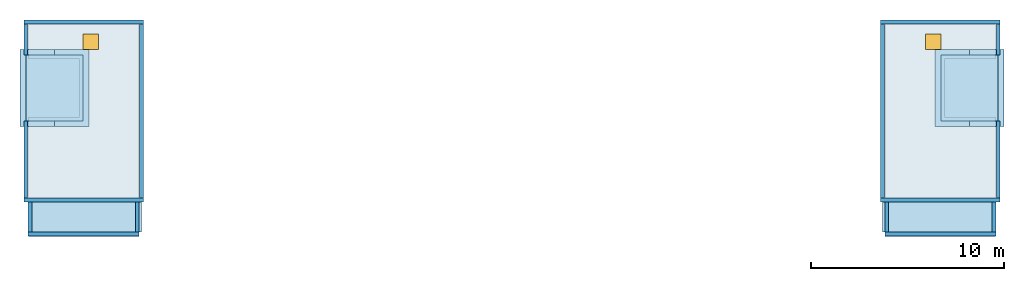
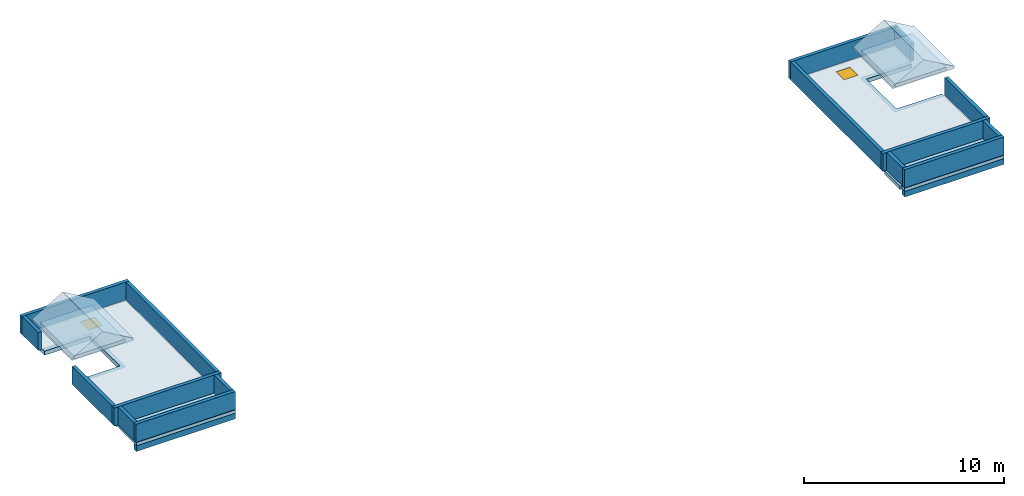
"""IFC4 building model written with IfcOpenShell, lengths in metres."""

from ifc_helpers import new_model, si_unit, direction, frame, frame_2d, origin, origin_2d, place, context, subcontext, project, spatial, polyline, rectangle, outline, extrude, material, layer, layer_set, material_profile, profile_set, type_object, element, fill, save


model = new_model("IFC4")

# Units and contexts
model_context = context("Model", 3, precision=1e-05, world=origin(), true_north=direction((0.0, 1.0)))
body_context = subcontext(model_context, "Body", "Model", "MODEL_VIEW")
ifc_project = project(units=[si_unit("LENGTHUNIT", "METRE"), si_unit("AREAUNIT", "SQUARE_METRE"), si_unit("VOLUMEUNIT", "CUBIC_METRE"), si_unit("PLANEANGLEUNIT", "RADIAN"), si_unit("MASSUNIT", "GRAM", prefix="KILO")], contexts=[model_context])

# Site, building, storey
site_placement = place(None, origin())
site = spatial("IfcSite", under=ifc_project, at=site_placement, CompositionType="ELEMENT")
building_placement = place(site_placement, origin())
building = spatial("IfcBuilding", under=site, at=building_placement, Name="Ridgestep Commons", CompositionType="ELEMENT")
storey_1_placement = place(building_placement, frame((0.0, 0.0, 48.0)))
storey_1 = spatial("IfcBuildingStorey", under=building, at=storey_1_placement, Name="Roof", CompositionType="ELEMENT", Elevation=48.0)

# Beams
ifc_material_1 = material(Name="Precast concrete C40/50", Category="concrete")
ifc_material_profile = material_profile(ifc_material_1, rectangle(XDim=0.25, YDim=0.35009765625, at=origin_2d()), Name="PC 250x350")
ifc_profile_set = profile_set([ifc_material_profile], Name="Precast concrete C40/50")
beam_type = type_object("IfcBeamType", Name="Loggia edge beam 250 x 350", PredefinedType="SPANDREL", material=ifc_profile_set)
for number, where, z_axis, x_axis, name in (
    (1, (45.75, 11.875, -0.375), (1.0, 0.0, 0.0), (0.0, 1.0, 0.0), "Loggia edge beam A3C Roof"),
    (2, (90.125, 11.875, -0.375), (1.0, 0.0, 0.0), (0.0, 1.0, 0.0), "Loggia edge beam A5C Roof"),
):
    element("IfcBeam", number, at=place(storey_1_placement, frame(where, z_axis=z_axis, x_axis=x_axis)), inside=storey_1, type_object=beam_type, Name=name, PredefinedType="SPANDREL", context=body_context, shape_type="SweptSolid", body=[
        extrude(rectangle(XDim=0.25, YDim=0.35009765625, at=origin_2d()), origin(), (0.0, 0.0, 1.0), 5.72509765625),
    ])

# Slabs
ifc_material_2 = material(Name="Precast concrete C40/50", Category="concrete")
ifc_layer_1 = layer(ifc_material_2, 0.199951171875)
ifc_layer_set_1 = layer_set([ifc_layer_1], Name="Gallery roof slab 200")
slab_type_1 = type_object("IfcSlabType", Name="Gallery roof slab 200", PredefinedType="ROOF", material=ifc_layer_set_1)
slab_1_placement = place(storey_1_placement, frame((0.0, 0.0, -0.199951171875)))
element("IfcSlab", 3, at=slab_1_placement, inside=storey_1, type_object=slab_type_1, Name="Gallery slab A3 Roof", PredefinedType="ROOF", context=body_context, shape_type="SweptSolid", body=[
    extrude(outline(polyline([(45.75, 11.75), (51.47509765625, 11.75), (51.47509765625, 12.0), (51.60009765625, 12.0), (51.60009765625, 13.550048828125), (45.75, 13.550048828125), (45.75, 11.75)])), origin(), (0.0, 0.0, 1.0), 0.199951171875),
])
slab_2_placement = place(storey_1_placement, frame((0.0, 0.0, -0.199951171875)))
element("IfcSlab", 4, at=slab_2_placement, inside=storey_1, type_object=slab_type_1, Name="Gallery slab A5 Roof", PredefinedType="ROOF", context=body_context, shape_type="SweptSolid", body=[
    extrude(outline(polyline([(90.0, 13.550048828125), (90.0, 12.0), (90.125, 12.0), (90.125, 11.75), (95.85009765625, 11.75), (95.85009765625, 13.550048828125), (90.0, 13.550048828125)])), origin(), (0.0, 0.0, 1.0), 0.199951171875),
])
ifc_material_3 = material(Name="Precast concrete C50/60", Category="concrete")
ifc_layer_2 = layer(ifc_material_3, 0.199951171875)
ifc_layer_set_2 = layer_set([ifc_layer_2], Name="Overrun roof 200")
slab_type_2 = type_object("IfcSlabType", Name="Overrun roof 200", PredefinedType="ROOF", material=ifc_layer_set_2)
slab_3_placement = place(storey_1_placement, frame((0.0, 0.0, 1.5)))
element("IfcSlab", 5, at=slab_3_placement, inside=storey_1, type_object=slab_type_2, Name="Lift overrun roof A3C", PredefinedType="ROOF", context=body_context, shape_type="SweptSolid", body=[
    extrude(outline(polyline([(48.574951171875, 17.75), (48.574951171875, 21.14990234375), (45.60009765625, 21.14990234375), (45.60009765625, 17.75), (48.574951171875, 17.75)])), origin(), (0.0, 0.0, 1.0), 0.199951171875),
])
slab_4_placement = place(storey_1_placement, frame((0.0, 0.0, 1.5)))
element("IfcSlab", 6, at=slab_4_placement, inside=storey_1, type_object=slab_type_2, Name="Lift overrun roof A5C", PredefinedType="ROOF", context=body_context, shape_type="SweptSolid", body=[
    extrude(outline(polyline([(96.0, 17.75), (96.0, 21.14990234375), (93.02490234375, 21.14990234375), (93.02490234375, 17.75), (96.0, 17.75)])), origin(), (0.0, 0.0, 1.0), 0.199951171875),
])

# Slab, opening
ifc_material_4 = material(Name="Precast concrete C50/60", Category="concrete")
ifc_layer_3 = layer(ifc_material_4, 0.25)
ifc_layer_set_3 = layer_set([ifc_layer_3], Name="Roof slab 250")
slab_type_3 = type_object("IfcSlabType", Name="Roof slab 250", PredefinedType="ROOF", material=ifc_layer_set_3)
slab_5_placement = place(storey_1_placement, frame((0.0, 0.0, -0.25)))
slab_5 = element("IfcSlab", 7, at=slab_5_placement, inside=storey_1, type_object=slab_type_3, Name="Roof slab A3C", PredefinedType="ROOF", context=body_context, shape_type="SweptSolid", body=[
    extrude(outline(polyline([(45.75, 22.75), (45.75, 20.949951171875), (48.375, 20.949951171875), (48.375, 17.949951171875), (45.75, 17.949951171875), (45.75, 13.75), (51.47509765625, 13.75), (51.47509765625, 22.75), (45.75, 22.75)])), origin(), (0.0, 0.0, 1.0), 0.25),
])
opening_1_placement = place(slab_5_placement, frame((48.97509765625, 21.85009765625, 0.0)))
opening_1 = element("IfcOpeningElement", 8, at=opening_1_placement, cuts=slab_5, Name="Opening A3C/RF/1", PredefinedType="OPENING", context=body_context, shape_type="SweptSolid", body=[
    extrude(rectangle(XDim=0.800048828125, YDim=0.800048828125, at=origin_2d()), origin(), (0.0, 0.0, 1.0), 0.25),
])

# Storey
storey_2_placement = place(building_placement, frame((0.0, 0.0, 45.0)))
storey_2 = spatial("IfcBuildingStorey", under=building, at=storey_2_placement, Name="L15", CompositionType="ELEMENT", Elevation=45.0)

# Door
ifc_material_5 = material(Name="Steel", Category="steel")
door_type = type_object("IfcDoorType", Name="Ladder roof hatch 800 x 800", OperationType="SINGLE_SWING_LEFT", PredefinedType="TRAPDOOR", material=ifc_material_5)
door_1_placement = place(opening_1_placement, frame((0.0, 0.0, 0.199951171875)))
door_1 = element("IfcDoor", 9, at=door_1_placement, inside=storey_2, type_object=door_type, Name="Roof hatch A3C", OperationType="SINGLE_SWING_LEFT", OverallHeight=0.800048828125, OverallWidth=0.800048828125, PredefinedType="TRAPDOOR", context=body_context, shape_type="SweptSolid", body=[
    extrude(rectangle(XDim=0.800048828125, YDim=0.800048828125, at=origin_2d()), origin(), (0.0, 0.0, 1.0), 0.050048828125),
])

fill(opening_1, door_1)

# Slab, opening, door
slab_6_placement = place(storey_1_placement, frame((0.0, 0.0, -0.25)))
slab_6 = element("IfcSlab", 10, at=slab_6_placement, inside=storey_1, type_object=slab_type_3, Name="Roof slab A5C", PredefinedType="ROOF", context=body_context, shape_type="SweptSolid", body=[
    extrude(outline(polyline([(95.85009765625, 13.75), (95.85009765625, 17.949951171875), (93.22509765625, 17.949951171875), (93.22509765625, 20.949951171875), (95.85009765625, 20.949951171875), (95.85009765625, 22.75), (90.125, 22.75), (90.125, 13.75), (95.85009765625, 13.75)])), origin(), (0.0, 0.0, 1.0), 0.25),
])
opening_2_placement = place(slab_6_placement, frame((92.625, 21.85009765625, 0.0)))
opening_2 = element("IfcOpeningElement", 11, at=opening_2_placement, cuts=slab_6, Name="Opening A5C/RF/1", PredefinedType="OPENING", context=body_context, shape_type="SweptSolid", body=[
    extrude(rectangle(XDim=0.800048828125, YDim=0.800048828125, at=origin_2d()), origin(), (0.0, 0.0, 1.0), 0.25),
])
door_2_placement = place(opening_2_placement, frame((0.0, 0.0, 0.199951171875)))
door_2 = element("IfcDoor", 12, at=door_2_placement, inside=storey_2, type_object=door_type, Name="Roof hatch A5C", OperationType="SINGLE_SWING_LEFT", OverallHeight=0.800048828125, OverallWidth=0.800048828125, PredefinedType="TRAPDOOR", context=body_context, shape_type="SweptSolid", body=[
    extrude(rectangle(XDim=0.800048828125, YDim=0.800048828125, at=origin_2d()), origin(), (0.0, 0.0, 1.0), 0.050048828125),
])
fill(opening_2, door_2)

# Walls
ifc_material_6 = material(Name="Precast concrete C40/50", Category="concrete")
ifc_layer_4 = layer(ifc_material_6, 0.199951171875)
ifc_layer_set_4 = layer_set([ifc_layer_4], Name="Parapet wall 200")
wall_type = type_object("IfcWallType", Name="Parapet wall 200", PredefinedType="PARAPET", material=ifc_layer_set_4)
for number, where, z_axis, x_axis, name in (
    (13, (45.5, 22.875, 0.0), (0.0, 0.0, 1.0), (1.0, 0.0, 0.0), "Parapet A3C north"),
    (14, (45.5, 13.64990234375, 0.0), (0.0, 0.0, 1.0), (1.0, 0.0, 0.0), "Parapet A3C south"),
):
    element("IfcWall", number, at=place(storey_1_placement, frame(where, z_axis=z_axis, x_axis=x_axis)), inside=storey_1, type_object=wall_type, Name=name, PredefinedType="PARAPET", context=body_context, shape_type="SweptSolid", body=[
        extrude(rectangle(XDim=6.199951171875, YDim=0.199951171875, at=frame_2d((3.10009765625, 0.0))), origin(), (0.0, 0.0, 1.0), 1.10009765625),
    ])
wall_1_placement = place(storey_1_placement, frame((45.60009765625, 13.75, 0.0), z_axis=(0.0, 0.0, 1.0), x_axis=(0.0, 1.0, 0.0)))
element("IfcWall", 15, at=wall_1_placement, inside=storey_1, type_object=wall_type, Name="Parapet A3C west", PredefinedType="PARAPET", context=body_context, shape_type="SweptSolid", body=[
    extrude(rectangle(XDim=4.0, YDim=0.199951171875, at=frame_2d((2.0, 0.0))), origin(), (0.0, 0.0, 1.0), 1.10009765625),
])
wall_2_placement = place(storey_1_placement, frame((45.60009765625, 21.14990234375, 0.0), z_axis=(0.0, 0.0, 1.0), x_axis=(0.0, 1.0, 0.0)))
element("IfcWall", 16, at=wall_2_placement, inside=storey_1, type_object=wall_type, Name="Parapet A3C west", PredefinedType="PARAPET", context=body_context, shape_type="SweptSolid", body=[
    extrude(rectangle(XDim=1.625, YDim=0.199951171875, at=frame_2d((0.8125, 0.0))), origin(), (0.0, 0.0, 1.0), 1.10009765625),
])
wall_3_placement = place(storey_1_placement, frame((51.60009765625, 13.75, 0.0), z_axis=(0.0, 0.0, 1.0), x_axis=(0.0, 1.0, 0.0)))
element("IfcWall", 17, at=wall_3_placement, inside=storey_1, type_object=wall_type, Name="Parapet A3C east", PredefinedType="PARAPET", context=body_context, shape_type="SweptSolid", body=[
    extrude(rectangle(XDim=9.02490234375, YDim=0.199951171875, at=frame_2d((4.512451171875, 0.0))), origin(), (0.0, 0.0, 1.0), 1.10009765625),
])
wall_4_placement = place(storey_1_placement, frame((45.72509765625, 11.875, 0.0), z_axis=(0.0, 0.0, 1.0), x_axis=(1.0, 0.0, 0.0)))
element("IfcWall", 18, at=wall_4_placement, inside=storey_1, type_object=wall_type, Name="Parapet A3C gallery south", PredefinedType="PARAPET", context=body_context, shape_type="SweptSolid", body=[
    extrude(rectangle(XDim=5.75, YDim=0.199951171875, at=frame_2d((2.875, 0.0))), origin(), (0.0, 0.0, 1.0), 1.10009765625),
])
for number, where, z_axis, x_axis, name in (
    (19, (45.824951171875, 11.97509765625, 0.0), (0.0, 0.0, 1.0), (0.0, 1.0, 0.0), "Parapet A3C gallery west"),
    (20, (51.375, 11.97509765625, 0.0), (0.0, 0.0, 1.0), (0.0, 1.0, 0.0), "Parapet A3C gallery east"),
):
    element("IfcWall", number, at=place(storey_1_placement, frame(where, z_axis=z_axis, x_axis=x_axis)), inside=storey_1, type_object=wall_type, Name=name, PredefinedType="PARAPET", context=body_context, shape_type="SweptSolid", body=[
        extrude(rectangle(XDim=1.574951171875, YDim=0.199951171875, at=frame_2d((0.78759765625, 0.0))), origin(), (0.0, 0.0, 1.0), 1.10009765625),
    ])
for number, where, z_axis, x_axis, name in (
    (21, (89.89990234375, 22.875, 0.0), (0.0, 0.0, 1.0), (1.0, 0.0, 0.0), "Parapet A5C north"),
    (22, (89.89990234375, 13.64990234375, 0.0), (0.0, 0.0, 1.0), (1.0, 0.0, 0.0), "Parapet A5C south"),
):
    element("IfcWall", number, at=place(storey_1_placement, frame(where, z_axis=z_axis, x_axis=x_axis)), inside=storey_1, type_object=wall_type, Name=name, PredefinedType="PARAPET", context=body_context, shape_type="SweptSolid", body=[
        extrude(rectangle(XDim=6.2001953125, YDim=0.199951171875, at=frame_2d((3.10009765625, 0.0))), origin(), (0.0, 0.0, 1.0), 1.10009765625),
    ])
wall_5_placement = place(storey_1_placement, frame((90.0, 13.75, 0.0), z_axis=(0.0, 0.0, 1.0), x_axis=(0.0, 1.0, 0.0)))
element("IfcWall", 23, at=wall_5_placement, inside=storey_1, type_object=wall_type, Name="Parapet A5C west", PredefinedType="PARAPET", context=body_context, shape_type="SweptSolid", body=[
    extrude(rectangle(XDim=9.02490234375, YDim=0.199951171875, at=frame_2d((4.512451171875, 0.0))), origin(), (0.0, 0.0, 1.0), 1.10009765625),
])
wall_6_placement = place(storey_1_placement, frame((96.0, 13.75, 0.0), z_axis=(0.0, 0.0, 1.0), x_axis=(0.0, 1.0, 0.0)))
element("IfcWall", 24, at=wall_6_placement, inside=storey_1, type_object=wall_type, Name="Parapet A5C east", PredefinedType="PARAPET", context=body_context, shape_type="SweptSolid", body=[
    extrude(rectangle(XDim=4.0, YDim=0.199951171875, at=frame_2d((2.0, 0.0))), origin(), (0.0, 0.0, 1.0), 1.10009765625),
])
wall_7_placement = place(storey_1_placement, frame((96.0, 21.14990234375, 0.0), z_axis=(0.0, 0.0, 1.0), x_axis=(0.0, 1.0, 0.0)))
element("IfcWall", 25, at=wall_7_placement, inside=storey_1, type_object=wall_type, Name="Parapet A5C east", PredefinedType="PARAPET", context=body_context, shape_type="SweptSolid", body=[
    extrude(rectangle(XDim=1.625, YDim=0.199951171875, at=frame_2d((0.8125, 0.0))), origin(), (0.0, 0.0, 1.0), 1.10009765625),
])
wall_8_placement = place(storey_1_placement, frame((90.125, 11.875, 0.0), z_axis=(0.0, 0.0, 1.0), x_axis=(1.0, 0.0, 0.0)))
element("IfcWall", 26, at=wall_8_placement, inside=storey_1, type_object=wall_type, Name="Parapet A5C gallery south", PredefinedType="PARAPET", context=body_context, shape_type="SweptSolid", body=[
    extrude(rectangle(XDim=5.75, YDim=0.199951171875, at=frame_2d((2.875, 0.0))), origin(), (0.0, 0.0, 1.0), 1.10009765625),
])
for number, where, z_axis, x_axis, name in (
    (27, (90.22509765625, 11.97509765625, 0.0), (0.0, 0.0, 1.0), (0.0, 1.0, 0.0), "Parapet A5C gallery west"),
    (28, (95.77490234375, 11.97509765625, 0.0), (0.0, 0.0, 1.0), (0.0, 1.0, 0.0), "Parapet A5C gallery east"),
):
    element("IfcWall", number, at=place(storey_1_placement, frame(where, z_axis=z_axis, x_axis=x_axis)), inside=storey_1, type_object=wall_type, Name=name, PredefinedType="PARAPET", context=body_context, shape_type="SweptSolid", body=[
        extrude(rectangle(XDim=1.574951171875, YDim=0.199951171875, at=frame_2d((0.78759765625, 0.0))), origin(), (0.0, 0.0, 1.0), 1.10009765625),
    ])

# Roofs
ifc_material_7 = material(Name="Zinc-aluminium profiled sheet", Category="aluminium")
roof_type = type_object("IfcRoofType", Name="Gable crown 3575 x 4000", PredefinedType="GABLE_ROOF", material=ifc_material_7)
for number, where, z_axis, x_axis, name in (
    (29, (45.300048828125, 19.449951171875, 1.699951171875), (0.0, 0.0, 1.0), (1.0, 0.0, 0.0), "Gable crown A3C"),
    (30, (92.72509765625, 19.449951171875, 1.699951171875), (0.0, 0.0, 1.0), (1.0, 0.0, 0.0), "Gable crown A5C"),
):
    element("IfcRoof", number, at=place(storey_1_placement, frame(where, z_axis=z_axis, x_axis=x_axis)), inside=storey_1, type_object=roof_type, Name=name, PredefinedType="GABLE_ROOF", context=body_context, shape_type="SweptSolid", body=[
        extrude(outline(polyline([(0.0, 0.0), (3.574951171875, 0.0), (3.574951171875, 0.1201171875), (1.78759765625, 1.152099609375), (0.0, 0.1201171875), (0.0, 0.0)])), frame((0.0, 2.0, 0.0), z_axis=(0.0, -1.0, 0.0), x_axis=(1.0, 0.0, 0.0)), (0.0, 0.0, 1.0), 4.0),
    ])

save(model, "model.ifc")
